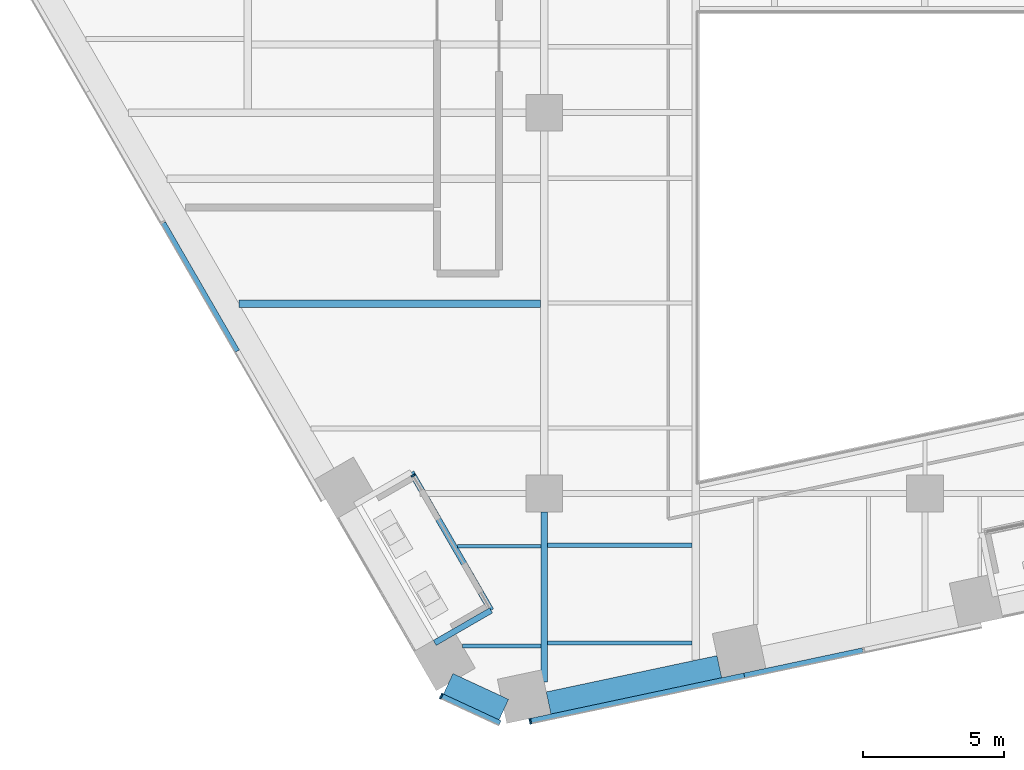
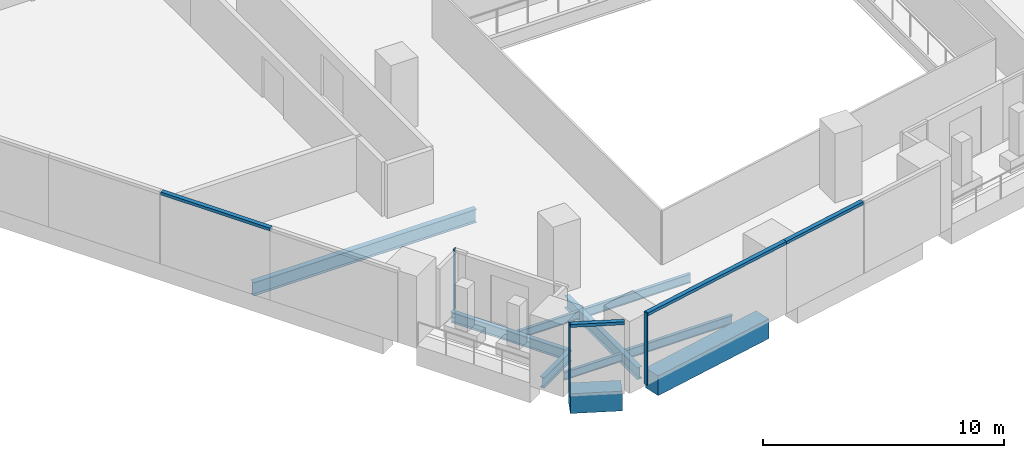
# One storey, part 2 of 28: 10 beams, 7 members, 4 elements without a shape of their own.
"""IFC4 building model written with IfcOpenShell, lengths in metres."""

from ifc_helpers import new_model, si_unit, direction, frame, origin, origin_2d, place, context, subcontext, project, spatial, rectangle, i_section, extrude, material, layer, layer_set, material_profile, profile_set, type_object, element, aggregate, save


model = new_model("IFC4")

# Units and contexts
model_context = context("Model", 3, precision=1e-05, world=origin(), true_north=direction((0.0, 1.0)))
body_context = subcontext(model_context, "Body", "Model", "MODEL_VIEW")
ifc_project = project(units=[si_unit("LENGTHUNIT", "METRE"), si_unit("AREAUNIT", "SQUARE_METRE"), si_unit("VOLUMEUNIT", "CUBIC_METRE"), si_unit("PLANEANGLEUNIT", "RADIAN"), si_unit("MASSUNIT", "GRAM", prefix="KILO")], contexts=[model_context])

# Site, building, storey
site_placement = place(None, origin())
site = spatial("IfcSite", under=ifc_project, at=site_placement, CompositionType="ELEMENT")
building_placement = place(site_placement, origin())
building = spatial("IfcBuilding", under=site, at=building_placement, Name="Isthmus Gate Tower", CompositionType="ELEMENT")
storey_placement = place(building_placement, frame((0.0, 0.0, 84.300048828125)))
storey = spatial("IfcBuildingStorey", under=building, at=storey_placement, Name="L19", CompositionType="ELEMENT", Elevation=84.300048828125)

# Curtain wall, member
ifc_material_1 = material(Name="Aluminium, pale champagne anodised", Category="aluminium")
ifc_layer_1 = layer(ifc_material_1, 0.199951171875)
ifc_layer_set_1 = layer_set([ifc_layer_1], Name="CW-1 UNITISED CURTAIN WALL 200 DEEP")
curtain_wall_type_1 = type_object("IfcCurtainWallType", Name="CW-1 UNITISED CURTAIN WALL 200 DEEP", PredefinedType="NOTDEFINED", material=ifc_layer_set_1)
curtain_wall_1_placement = place(storey_placement, origin())
curtain_wall_1 = element("IfcCurtainWall", 1, at=curtain_wall_1_placement, inside=storey, type_object=curtain_wall_type_1, Name="CW-1 SW-S L19", PredefinedType="NOTDEFINED")
ifc_material_2 = material(Name="Aluminium, pale champagne anodised", Category="aluminium")
ifc_material_profile_1 = material_profile(ifc_material_2, rectangle(XDim=0.06005859375, YDim=0.199951171875, at=origin_2d()), Name="60x200")
ifc_profile_set_1 = profile_set([ifc_material_profile_1], Name="Aluminium, pale champagne anodised")
member_type_1 = type_object("IfcMemberType", Name="CW-1 MULLION 60 X 200", PredefinedType="MULLION", material=ifc_profile_set_1)
member_1_placement = place(storey_placement, frame((-17.14794921875, -34.184814453125, 0.0), z_axis=(0.0, 0.0, 1.0), x_axis=(0.907256261367, -0.420578264073, 0.0)))
member_1 = element("IfcMember", 2, at=member_1_placement, type_object=member_type_1, Name="CW-1 mullion", PredefinedType="MULLION", context=body_context, shape_type="SweptSolid", body=[
    extrude(rectangle(XDim=0.06005859375, YDim=0.199951171875, at=origin_2d()), origin(), (0.0, 0.0, 1.0), 3.64990234375),
])

curtain_wall_2_placement = place(storey_placement, origin())
curtain_wall_2 = element("IfcCurtainWall", 3, at=curtain_wall_2_placement, inside=storey, type_object=curtain_wall_type_1, Name="CW-1 S L19", PredefinedType="NOTDEFINED")
member_2_placement = place(storey_placement, frame((-13.992919921875, -35.076416015625, 0.0), z_axis=(0.0, 0.0, 1.0), x_axis=(0.978147600734, 0.207911690818, 0.0)))
member_2 = element("IfcMember", 4, at=member_2_placement, type_object=member_type_1, Name="CW-1 mullion", PredefinedType="MULLION", context=body_context, shape_type="SweptSolid", body=[
    extrude(rectangle(XDim=0.06005859375, YDim=0.199951171875, at=origin_2d()), origin(), (0.0, 0.0, 1.0), 3.64990234375),
])

curtain_wall_3_placement = place(storey_placement, origin())
curtain_wall_3 = element("IfcCurtainWall", 5, at=curtain_wall_3_placement, inside=storey, type_object=curtain_wall_type_1, Name="CW-1 SW L19", PredefinedType="NOTDEFINED")
ifc_material_3 = material(Name="Aluminium, pale champagne anodised", Category="aluminium")
ifc_material_profile_2 = material_profile(ifc_material_3, rectangle(XDim=0.199951171875, YDim=0.14990234375, at=origin_2d()), Name="200x150")
ifc_profile_set_2 = profile_set([ifc_material_profile_2], Name="Aluminium, pale champagne anodised")
member_type_2 = type_object("IfcMemberType", Name="CW-1 TRANSOM 200 X 150", PredefinedType="USERDEFINED", material=ifc_profile_set_2)
member_3_placement = place(storey_placement, frame((-27.01171875, -17.414306640625, 3.574951171875), z_axis=(0.499996256241, -0.866027565234, 0.0), x_axis=(0.866027565234, 0.499996256241, 0.0)))
member_3 = element("IfcMember", 6, at=member_3_placement, type_object=member_type_2, Name="CW-1 transom", ObjectType="TRANSOM", PredefinedType="USERDEFINED", context=body_context, shape_type="SweptSolid", body=[
    extrude(rectangle(XDim=0.199951171875, YDim=0.14990234375, at=origin_2d()), origin(), (0.0, 0.0, 1.0), 5.24853515625),
])
aggregate(curtain_wall_3, [member_3])

# Member
member_4_placement = place(storey_placement, frame((-17.120849609375, -34.197509765625, 3.574951171875), z_axis=(0.907246225564, -0.420599912268, 0.0), x_axis=(0.420599912268, 0.907246225564, 0.0)))
member_4 = element("IfcMember", 7, at=member_4_placement, type_object=member_type_2, Name="CW-1 transom", ObjectType="TRANSOM", PredefinedType="USERDEFINED", context=body_context, shape_type="SweptSolid", body=[
    extrude(rectangle(XDim=0.199951171875, YDim=0.14990234375, at=origin_2d()), origin(), (0.0, 0.0, 1.0), 2.258544921875),
])

aggregate(curtain_wall_1, [member_1, member_4])

member_5_placement = place(storey_placement, frame((-13.963623046875, -35.0703125, 3.574951171875), z_axis=(0.97815050153, 0.207898043176, 0.0), x_axis=(-0.207898043176, 0.97815050153, 0.0)))
member_5 = element("IfcMember", 8, at=member_5_placement, type_object=member_type_2, Name="CW-1 transom", ObjectType="TRANSOM", PredefinedType="USERDEFINED", context=body_context, shape_type="SweptSolid", body=[
    extrude(rectangle(XDim=0.199951171875, YDim=0.14990234375, at=origin_2d()), origin(), (0.0, 0.0, 1.0), 7.7294921875),
])

member_6_placement = place(storey_placement, frame((-6.403076171875, -33.46337890625, 3.574951171875), z_axis=(0.97813890815, 0.207952582007, 0.0), x_axis=(-0.207952582007, 0.97813890815, 0.0)))
member_6 = element("IfcMember", 9, at=member_6_placement, type_object=member_type_2, Name="CW-1 transom", ObjectType="TRANSOM", PredefinedType="USERDEFINED", context=body_context, shape_type="SweptSolid", body=[
    extrude(rectangle(XDim=0.199951171875, YDim=0.14990234375, at=origin_2d()), origin(), (0.0, 0.0, 1.0), 4.294677734375),
])

aggregate(curtain_wall_2, [member_2, member_5, member_6])

# Curtain wall, member
ifc_material_4 = material(Name="Aluminium, pale champagne anodised", Category="aluminium")
ifc_layer_2 = layer(ifc_material_4, 0.14990234375)
ifc_layer_set_2 = layer_set([ifc_layer_2], Name="CW-6 LOGGIA BACK WALL GLAZING 150 DEEP")
curtain_wall_type_2 = type_object("IfcCurtainWallType", Name="CW-6 LOGGIA BACK WALL GLAZING 150 DEEP", PredefinedType="NOTDEFINED", material=ifc_layer_set_2)
curtain_wall_4_placement = place(storey_placement, origin())
curtain_wall_4 = element("IfcCurtainWall", 10, at=curtain_wall_4_placement, inside=storey, type_object=curtain_wall_type_2, Name="CW-6 SW L19", PredefinedType="NOTDEFINED")
ifc_material_5 = material(Name="Aluminium, pale champagne anodised", Category="aluminium")
ifc_material_profile_3 = material_profile(ifc_material_5, rectangle(XDim=0.06005859375, YDim=0.14990234375, at=origin_2d()), Name="60x150")
ifc_profile_set_3 = profile_set([ifc_material_profile_3], Name="Aluminium, pale champagne anodised")
member_type_3 = type_object("IfcMemberType", Name="CW-6 MULLION 60 X 150", PredefinedType="MULLION", material=ifc_profile_set_3)
member_7_placement = place(storey_placement, frame((-18.146728515625, -26.368896484375, 0.0), z_axis=(0.0, 0.0, 1.0), x_axis=(0.5, -0.866025403784, 0.0)))
member_7 = element("IfcMember", 11, at=member_7_placement, type_object=member_type_3, Name="CW-6 mullion", PredefinedType="MULLION", context=body_context, shape_type="SweptSolid", body=[
    extrude(rectangle(XDim=0.06005859375, YDim=0.14990234375, at=origin_2d()), origin(), (0.0, 0.0, 1.0), 3.050048828125),
])
aggregate(curtain_wall_4, [member_7])

# Beams
ifc_material_6 = material(Name="Concrete f'c 70 MPa", Category="concrete")
ifc_material_profile_4 = material_profile(ifc_material_6, rectangle(XDim=0.800048828125, YDim=1.0, at=origin_2d()), Name="RC 800X1000")
ifc_profile_set_4 = profile_set([ifc_material_profile_4], Name="Concrete f'c 70 MPa")
beam_type_1 = type_object("IfcBeamType", Name="RC SPANDREL 800 X 1000", PredefinedType="SPANDREL", material=ifc_profile_set_4)
beam_1_placement = place(storey_placement, frame((-7.28955078125, -33.140625, -0.5), z_axis=(-0.978155442329, -0.207874795591, 0.0), x_axis=(0.207874795591, -0.978155442329, 0.0)))
element("IfcBeam", 12, at=beam_1_placement, inside=storey, type_object=beam_type_1, Name="str-spandrel-L19-13", PredefinedType="SPANDREL", context=body_context, shape_type="SweptSolid", body=[
    extrude(rectangle(XDim=0.800048828125, YDim=1.0, at=origin_2d()), origin(), (0.0, 0.0, 1.0), 6.189453125),
])
beam_2_placement = place(storey_placement, frame((-14.929443359375, -34.662109375, -0.5), z_axis=(-0.907290744498, 0.420503870314, 0.0), x_axis=(-0.420503870314, -0.907290744498, 0.0)))
element("IfcBeam", 13, at=beam_2_placement, inside=storey, type_object=beam_type_1, Name="str-spandrel-L19-14", PredefinedType="SPANDREL", context=body_context, shape_type="SweptSolid", body=[
    extrude(rectangle(XDim=0.800048828125, YDim=1.0, at=origin_2d()), origin(), (0.0, 0.0, 1.0), 2.173095703125),
])
ifc_material_7 = material(Name="Structural steel ASTM A992 Gr 50", Category="steel")
ifc_material_profile_5 = material_profile(ifc_material_7, i_section(OverallWidth=0.1396484375, OverallDepth=0.4033203125, WebThickness=0.00634765625, FlangeThickness=0.010986328125, at=origin_2d()), Name="W16X31")
ifc_profile_set_5 = profile_set([ifc_material_profile_5], Name="Structural steel ASTM A992 Gr 50")
beam_type_2 = type_object("IfcBeamType", Name="STEEL FLOOR BEAM W16X31", PredefinedType="JOIST", material=ifc_profile_set_5)
beam_3_placement = place(storey_placement, frame((-16.393310546875, -32.406005859375, -0.3515625), z_axis=(1.0, 0.0, 0.0), x_axis=(0.0, 1.0, 0.0)))
element("IfcBeam", 14, at=beam_3_placement, inside=storey, type_object=beam_type_2, Name="str-beam-L19-12-00", PredefinedType="JOIST", context=body_context, shape_type="SweptSolid", body=[
    extrude(i_section(OverallWidth=0.1396484375, OverallDepth=0.4033203125, WebThickness=0.00634765625, FlangeThickness=0.010986328125, at=origin_2d()), origin(), (0.0, 0.0, 1.0), 2.779052734375),
])
beam_4_placement = place(storey_placement, frame((-16.5751953125, -28.871826171875, -0.3515625), z_axis=(1.0, 0.0, 0.0), x_axis=(0.0, 1.0, 0.0)))
element("IfcBeam", 15, at=beam_4_placement, inside=storey, type_object=beam_type_2, Name="str-beam-L19-12-01", PredefinedType="JOIST", context=body_context, shape_type="SweptSolid", body=[
    extrude(i_section(OverallWidth=0.1396484375, OverallDepth=0.4033203125, WebThickness=0.00634765625, FlangeThickness=0.010986328125, at=origin_2d()), origin(), (0.0, 0.0, 1.0), 2.9609375),
])
ifc_material_8 = material(Name="Structural steel ASTM A992 Gr 50", Category="steel")
ifc_material_profile_6 = material_profile(ifc_material_8, i_section(OverallWidth=0.15234375, OverallDepth=0.45068359375, WebThickness=0.0078125, FlangeThickness=0.010986328125, at=origin_2d()), Name="W18X35")
ifc_profile_set_6 = profile_set([ifc_material_profile_6], Name="Structural steel ASTM A992 Gr 50")
beam_type_3 = type_object("IfcBeamType", Name="STEEL FLOOR BEAM W18X35", PredefinedType="JOIST", material=ifc_profile_set_6)
for number, where, z_axis, x_axis, name in (
    (16, (-13.3857421875, -32.30322265625, -0.37548828125), (1.0, 0.0, 0.0), (0.0, 1.0, 0.0), "str-beam-L19-13-00"),
    (17, (-13.3857421875, -28.837646484375, -0.37548828125), (1.0, 0.0, 0.0), (0.0, 1.0, 0.0), "str-beam-L19-13-01"),
):
    element("IfcBeam", number, at=place(storey_placement, frame(where, z_axis=z_axis, x_axis=x_axis)), inside=storey, type_object=beam_type_3, Name=name, PredefinedType="JOIST", context=body_context, shape_type="SweptSolid", body=[
        extrude(i_section(OverallWidth=0.15234375, OverallDepth=0.45068359375, WebThickness=0.0078125, FlangeThickness=0.010986328125, at=origin_2d()), origin(), (0.0, 0.0, 1.0), 5.119140625),
    ])
ifc_material_9 = material(Name="Structural steel ASTM A992 Gr 50", Category="steel")
ifc_material_profile_7 = material_profile(ifc_material_9, i_section(OverallWidth=0.25390625, OverallDepth=0.679443359375, WebThickness=0.010986328125, FlangeThickness=0.015869140625, at=origin_2d()), Name="W27X84")
ifc_profile_set_7 = profile_set([ifc_material_profile_7], Name="Structural steel ASTM A992 Gr 50")
beam_type_4 = type_object("IfcBeamType", Name="STEEL FLOOR BEAM W27X84", PredefinedType="JOIST", material=ifc_profile_set_7)
beam_5_placement = place(storey_placement, frame((-24.322509765625, -20.2724609375, -0.48974609375), z_axis=(1.0, 0.0, 0.0), x_axis=(0.0, 1.0, 0.0)))
element("IfcBeam", 18, at=beam_5_placement, inside=storey, type_object=beam_type_4, Name="str-beam-L19-07-01", PredefinedType="JOIST", context=body_context, shape_type="SweptSolid", body=[
    extrude(i_section(OverallWidth=0.25390625, OverallDepth=0.679443359375, WebThickness=0.010986328125, FlangeThickness=0.015869140625, at=origin_2d()), origin(), (0.0, 0.0, 1.0), 10.690673828125),
])
ifc_material_10 = material(Name="Structural steel ASTM A992 Gr 50", Category="steel")
ifc_material_profile_8 = material_profile(ifc_material_10, i_section(OverallWidth=0.228515625, OverallDepth=0.603271484375, WebThickness=0.010986328125, FlangeThickness=0.014404296875, at=origin_2d()), Name="W24X68")
ifc_profile_set_8 = profile_set([ifc_material_profile_8], Name="Structural steel ASTM A992 Gr 50")
beam_type_5 = type_object("IfcBeamType", Name="STEEL GIRDER W24X68", PredefinedType="BEAM", material=ifc_profile_set_8)
beam_6_placement = place(storey_placement, frame((-13.5, -33.69189453125, -0.45166015625), z_axis=(0.0, 1.0, 0.0), x_axis=(-1.0, 0.0, 0.0)))
element("IfcBeam", 19, at=beam_6_placement, inside=storey, type_object=beam_type_5, Name="str-girder-L19-24", PredefinedType="BEAM", context=body_context, shape_type="SweptSolid", body=[
    extrude(i_section(OverallWidth=0.228515625, OverallDepth=0.603271484375, WebThickness=0.010986328125, FlangeThickness=0.014404296875, at=origin_2d()), origin(), (0.0, 0.0, 1.0), 6.0419921875),
])
ifc_material_11 = material(Name="Structural steel ASTM A992 Gr 50", Category="steel")
ifc_material_profile_9 = material_profile(ifc_material_11, i_section(OverallWidth=0.20947265625, OverallDepth=0.533447265625, WebThickness=0.009521484375, FlangeThickness=0.015869140625, at=origin_2d()), Name="W21X62")
ifc_profile_set_9 = profile_set([ifc_material_profile_9], Name="Structural steel ASTM A992 Gr 50")
beam_type_6 = type_object("IfcBeamType", Name="STEEL TRIMMER W21X62", PredefinedType="BEAM", material=ifc_profile_set_9)
beam_7_placement = place(storey_placement, frame((-18.2099609375, -26.249755859375, -0.416748046875), z_axis=(0.499980405277, -0.866036716508, 0.0), x_axis=(0.866036716508, 0.499980405277, 0.0)))
element("IfcBeam", 20, at=beam_7_placement, inside=storey, type_object=beam_type_6, Name="str-loggiatrim-L19-03-B", PredefinedType="BEAM", context=body_context, shape_type="SweptSolid", body=[
    extrude(i_section(OverallWidth=0.20947265625, OverallDepth=0.533447265625, WebThickness=0.009521484375, FlangeThickness=0.015869140625, at=origin_2d()), origin(), (0.0, 0.0, 1.0), 5.653076171875),
])
beam_8_placement = place(storey_placement, frame((-17.37939453125, -32.2978515625, -0.416748046875), z_axis=(0.866017993231, 0.500012835235, 0.0), x_axis=(-0.500012835235, 0.866017993231, 0.0)))
element("IfcBeam", 21, at=beam_8_placement, inside=storey, type_object=beam_type_6, Name="str-loggiatrim-L19-03-C", PredefinedType="BEAM", context=body_context, shape_type="SweptSolid", body=[
    extrude(i_section(OverallWidth=0.20947265625, OverallDepth=0.533447265625, WebThickness=0.009521484375, FlangeThickness=0.015869140625, at=origin_2d()), origin(), (0.0, 0.0, 1.0), 2.3046875),
])

save(model, "model.ifc")
